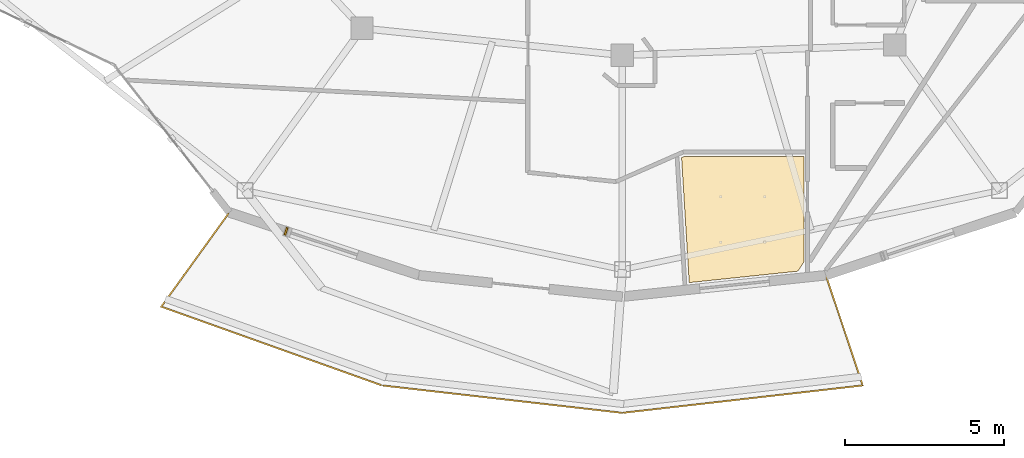
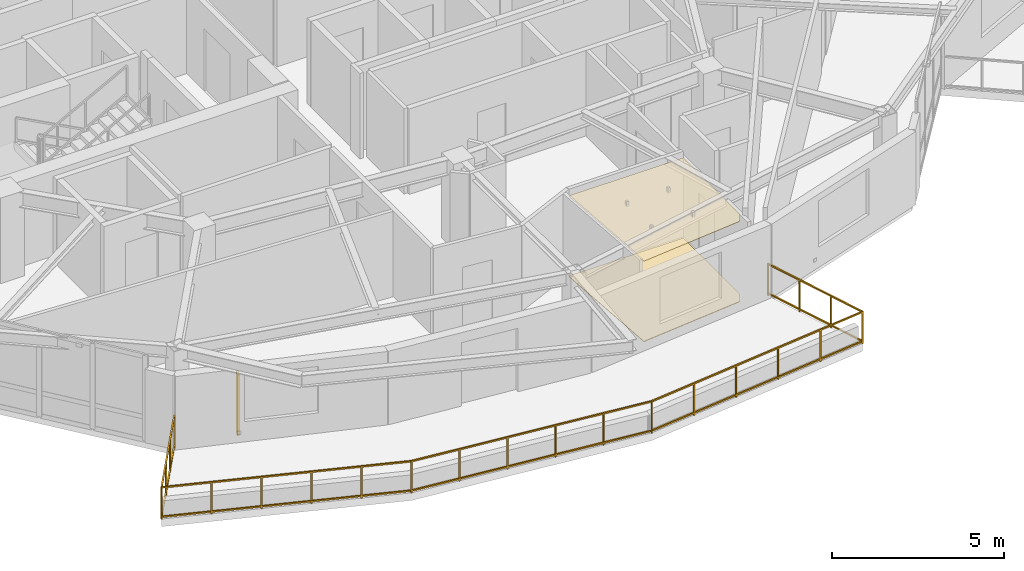
# One storey, part 16 of 19: 2 coverings, 1 railing, 1 shading device.
"""IFC4 building model written with IfcOpenShell, lengths in metres."""

from ifc_helpers import new_model, si_unit, direction, frame, origin, origin_2d, place, context, subcontext, project, spatial, polyline, rectangle, outline, extrude, material, layer, layer_set, type_object, element, save


model = new_model("IFC4")

# Units and contexts
model_context = context("Model", 3, precision=1e-05, world=origin(), true_north=direction((0.0, 1.0)))
body_context = subcontext(model_context, "Body", "Model", "MODEL_VIEW")
ifc_project = project(units=[si_unit("LENGTHUNIT", "METRE"), si_unit("AREAUNIT", "SQUARE_METRE"), si_unit("VOLUMEUNIT", "CUBIC_METRE"), si_unit("PLANEANGLEUNIT", "RADIAN"), si_unit("MASSUNIT", "GRAM", prefix="KILO")], contexts=[model_context])

# Site, building, storey
site_placement = place(None, origin())
site = spatial("IfcSite", under=ifc_project, at=site_placement, CompositionType="ELEMENT")
building_placement = place(site_placement, origin())
building = spatial("IfcBuilding", under=site, at=building_placement, Name="Kolvaren Gate Tower and Convention Centre", CompositionType="ELEMENT")
storey_placement = place(building_placement, frame((0.0, 0.0, 212.89990234375)))
storey = spatial("IfcBuildingStorey", under=building, at=storey_placement, Name="L56", CompositionType="ELEMENT", Elevation=212.89990234375)

# Coverings
ifc_material_1 = material(Name="Perforated Mineral-Fibre Acoustic Ceiling Tile 18 mm", Category="gypsum")
ifc_layer_1 = layer(ifc_material_1, 0.01806640625)
ifc_layer_set_1 = layer_set([ifc_layer_1], Name="Perforated Mineral-Fibre Acoustic Ceiling Tile 18 mm")
covering_type_1 = type_object("IfcCoveringType", Name="ARCH-COV-CEIL-18", PredefinedType="CEILING", material=ifc_layer_set_1)
covering_1_placement = place(storey_placement, frame((0.0, 0.0, 2.85009765625)))
element("IfcCovering", 1, at=covering_1_placement, inside=storey, type_object=covering_type_1, Name="Apartment Bedroom (APT-L56-01) Acoustic Suspended Ceiling", PredefinedType="CEILING", context=body_context, shape_type="SweptSolid", body=[
    extrude(outline(polyline([(31.989013671875, 11.576904296875), (32.06298828125, 11.610107421875), (35.843994140625, 11.610107421875), (35.843994140625, 8.302978515625), (35.652099609375, 8.0029296875), (32.22998046875, 7.64306640625), (31.989013671875, 11.576904296875)])), origin(), (0.0, 0.0, 1.0), 0.01806640625),
])
ifc_material_2 = material(Name="FSC Andean Oak Engineered Parquet Flooring 22 mm", Category="wood")
ifc_layer_2 = layer(ifc_material_2, 0.02197265625)
ifc_layer_set_2 = layer_set([ifc_layer_2], Name="FSC Andean Oak Engineered Parquet Flooring 22 mm")
covering_type_2 = type_object("IfcCoveringType", Name="ARCH-COV-WOOD-22", PredefinedType="FLOORING", material=ifc_layer_set_2)
covering_2_placement = place(storey_placement, origin())
element("IfcCovering", 2, at=covering_2_placement, inside=storey, type_object=covering_type_2, Name="Apartment Bedroom (APT-L56-01) Interior Finish Flooring", PredefinedType="FLOORING", context=body_context, shape_type="SweptSolid", body=[
    extrude(outline(polyline([(31.989013671875, 11.576904296875), (32.06298828125, 11.610107421875), (35.843994140625, 11.610107421875), (35.843994140625, 8.302978515625), (35.652099609375, 8.0029296875), (32.22998046875, 7.64306640625), (31.989013671875, 11.576904296875)])), origin(), (0.0, 0.0, 1.0), 0.022216796875),
])

# Railing
ifc_material_3 = material(Name="Brushed Stainless Steel Grade 316L", Category="steel")
railing_type = type_object("IfcRailingType", Name="ARCH-RL-GUARD-1150", PredefinedType="GUARDRAIL", material=ifc_material_3)
railing_placement = place(storey_placement, frame((17.75, 9.852783203125, 0.0)))
element("IfcRailing", 3, at=railing_placement, inside=storey, type_object=railing_type, Name="Tower L56 Terrace Perimeter Guardrail GR-3", PredefinedType="GUARDRAIL", context=body_context, shape_type="SweptSolid", body=[
    extrude(rectangle(XDim=0.048095703125, YDim=0.048095703125, at=origin_2d()), frame((-0.016357421875, -0.022705078125, 1.1259765625), z_axis=(-0.585212870465, -0.810879705161, 0.0), x_axis=(0.810879705161, -0.585212870465, 0.0)), (0.0, 0.0, 1.0), 3.603759765625),
    extrude(rectangle(XDim=0.048095703125, YDim=0.048095703125, at=origin_2d()), frame((-0.016357421875, -0.022705078125, 0.083984375), z_axis=(-0.585212870465, -0.810879705161, 0.0), x_axis=(0.810879705161, -0.585212870465, 0.0)), (0.0, 0.0, 1.0), 3.603759765625),
    extrude(rectangle(XDim=0.048095703125, YDim=0.048095703125, at=origin_2d()), frame((-2.115478515625, -2.977294921875, 1.1259765625), z_axis=(0.941783827204, -0.336219010197, 0.0), x_axis=(0.336219010197, 0.941783827204, 0.0)), (0.0, 0.0, 1.0), 7.322265625),
    extrude(rectangle(XDim=0.048095703125, YDim=0.048095703125, at=origin_2d()), frame((-2.115478515625, -2.977294921875, 0.083984375), z_axis=(0.941783827204, -0.336219010197, 0.0), x_axis=(0.336219010197, 0.941783827204, 0.0)), (0.0, 0.0, 1.0), 7.322265625),
    extrude(rectangle(XDim=0.048095703125, YDim=0.048095703125, at=origin_2d()), frame((4.834716796875, -5.45166015625, 1.1259765625), z_axis=(0.993542586276, -0.113459813395, 0.0), x_axis=(0.113459813395, 0.993542586276, 0.0)), (0.0, 0.0, 1.0), 7.561279296875),
    extrude(rectangle(XDim=0.048095703125, YDim=0.048095703125, at=origin_2d()), frame((4.834716796875, -5.45166015625, 0.083984375), z_axis=(0.993542586276, -0.113459813395, 0.0), x_axis=(0.113459813395, 0.993542586276, 0.0)), (0.0, 0.0, 1.0), 7.561279296875),
    extrude(rectangle(XDim=0.048095703125, YDim=0.048095703125, at=origin_2d()), frame((12.40283203125, -6.3095703125, 1.1259765625), z_axis=(0.993542586276, 0.113459813395, 0.0), x_axis=(-0.113459813395, 0.993542586276, 0.0)), (0.0, 0.0, 1.0), 7.561279296875),
    extrude(rectangle(XDim=0.048095703125, YDim=0.048095703125, at=origin_2d()), frame((12.40283203125, -6.3095703125, 0.083984375), z_axis=(0.993542586276, 0.113459813395, 0.0), x_axis=(-0.113459813395, 0.993542586276, 0.0)), (0.0, 0.0, 1.0), 7.561279296875),
    extrude(rectangle(XDim=0.048095703125, YDim=0.048095703125, at=origin_2d()), frame((19.934326171875, -5.421875, 1.1259765625), z_axis=(-0.317588247294, 0.948228719867, 0.0), x_axis=(-0.948228719867, -0.317588247294, 0.0)), (0.0, 0.0, 1.0), 3.603759765625),
    extrude(rectangle(XDim=0.048095703125, YDim=0.048095703125, at=origin_2d()), frame((19.934326171875, -5.421875, 0.083984375), z_axis=(-0.317588247294, 0.948228719867, 0.0), x_axis=(-0.948228719867, -0.317588247294, 0.0)), (0.0, 0.0, 1.0), 3.603759765625),
    extrude(rectangle(XDim=0.0419921875, YDim=0.0419921875, at=origin_2d()), origin(), (0.0, 0.0, 1.0), 1.14990234375),
    extrude(rectangle(XDim=0.0419921875, YDim=0.0419921875, at=origin_2d()), frame((-2.141845703125, -2.9677734375, 0.0)), (0.0, 0.0, 1.0), 1.14990234375),
    extrude(rectangle(XDim=0.0419921875, YDim=0.0419921875, at=origin_2d()), frame((-0.7138671875, -0.9892578125, 0.0)), (0.0, 0.0, 1.0), 1.099853515625),
    extrude(rectangle(XDim=0.0419921875, YDim=0.0419921875, at=origin_2d()), frame((-1.427978515625, -1.978515625, 0.0)), (0.0, 0.0, 1.0), 1.099853515625),
    extrude(rectangle(XDim=0.0419921875, YDim=0.0419921875, at=origin_2d()), frame((4.806884765625, -5.448486328125, 0.0)), (0.0, 0.0, 1.0), 1.14990234375),
    extrude(rectangle(XDim=0.0419921875, YDim=0.0419921875, at=origin_2d()), frame((-0.752197265625, -3.4638671875, 0.0)), (0.0, 0.0, 1.0), 1.099853515625),
    extrude(rectangle(XDim=0.0419921875, YDim=0.0419921875, at=origin_2d()), frame((0.6376953125, -3.9599609375, 0.0)), (0.0, 0.0, 1.0), 1.099853515625),
    extrude(rectangle(XDim=0.0419921875, YDim=0.0419921875, at=origin_2d()), frame((2.02734375, -4.456298828125, 0.0)), (0.0, 0.0, 1.0), 1.099853515625),
    extrude(rectangle(XDim=0.0419921875, YDim=0.0419921875, at=origin_2d()), frame((3.417236328125, -4.952392578125, 0.0)), (0.0, 0.0, 1.0), 1.099853515625),
    extrude(rectangle(XDim=0.0419921875, YDim=0.0419921875, at=origin_2d()), frame((12.375, -6.312744140625, 0.0)), (0.0, 0.0, 1.0), 1.14990234375),
    extrude(rectangle(XDim=0.0419921875, YDim=0.0419921875, at=origin_2d()), frame((6.320556640625, -5.621337890625, 0.0)), (0.0, 0.0, 1.0), 1.099853515625),
    extrude(rectangle(XDim=0.0419921875, YDim=0.0419921875, at=origin_2d()), frame((7.834228515625, -5.794189453125, 0.0)), (0.0, 0.0, 1.0), 1.099853515625),
    extrude(rectangle(XDim=0.0419921875, YDim=0.0419921875, at=origin_2d()), frame((9.34765625, -5.967041015625, 0.0)), (0.0, 0.0, 1.0), 1.099853515625),
    extrude(rectangle(XDim=0.0419921875, YDim=0.0419921875, at=origin_2d()), frame((10.861328125, -6.139892578125, 0.0)), (0.0, 0.0, 1.0), 1.099853515625),
    extrude(rectangle(XDim=0.0419921875, YDim=0.0419921875, at=origin_2d()), frame((19.943115234375, -5.448486328125, 0.0)), (0.0, 0.0, 1.0), 1.14990234375),
    extrude(rectangle(XDim=0.0419921875, YDim=0.0419921875, at=origin_2d()), frame((13.888671875, -6.139892578125, 0.0)), (0.0, 0.0, 1.0), 1.099853515625),
    extrude(rectangle(XDim=0.0419921875, YDim=0.0419921875, at=origin_2d()), frame((15.40234375, -5.967041015625, 0.0)), (0.0, 0.0, 1.0), 1.099853515625),
    extrude(rectangle(XDim=0.0419921875, YDim=0.0419921875, at=origin_2d()), frame((16.915771484375, -5.794189453125, 0.0)), (0.0, 0.0, 1.0), 1.099853515625),
    extrude(rectangle(XDim=0.0419921875, YDim=0.0419921875, at=origin_2d()), frame((18.429443359375, -5.621337890625, 0.0)), (0.0, 0.0, 1.0), 1.099853515625),
    extrude(rectangle(XDim=0.0419921875, YDim=0.0419921875, at=origin_2d()), frame((18.78076171875, -1.97802734375, 0.0)), (0.0, 0.0, 1.0), 1.14990234375),
    extrude(rectangle(XDim=0.0419921875, YDim=0.0419921875, at=origin_2d()), frame((19.5556640625, -4.291748046875, 0.0)), (0.0, 0.0, 1.0), 1.099853515625),
    extrude(rectangle(XDim=0.0419921875, YDim=0.0419921875, at=origin_2d()), frame((19.168212890625, -3.134765625, 0.0)), (0.0, 0.0, 1.0), 1.099853515625),
])

# Shading device
ifc_material_4 = material(Name="Kiln-Fired Bogota Terracotta Ceramic Louvre Profile", Category="masonry")
shading_device_type = type_object("IfcShadingDeviceType", Name="ARCH-SHD-FIN-180", PredefinedType="JALOUSIE", material=ifc_material_4)
shading_device_placement = place(storey_placement, frame((19.538330078125, 9.260009765625, 0.22021484375), z_axis=(0.0, 0.0, 1.0), x_axis=(0.949241728595, -0.314547517385, 0.0)))
element("IfcShadingDevice", 4, at=shading_device_placement, inside=storey, type_object=shading_device_type, Name="Ceramic Vertical Brise-Soleil Fin FN-L56-16", PredefinedType="JALOUSIE", context=body_context, shape_type="SweptSolid", body=[
    extrude(rectangle(XDim=0.06005859375, YDim=0.239990234375, at=origin_2d()), origin(), (0.0, 0.0, 1.0), 2.14990234375),
])

save(model, "model.ifc")
